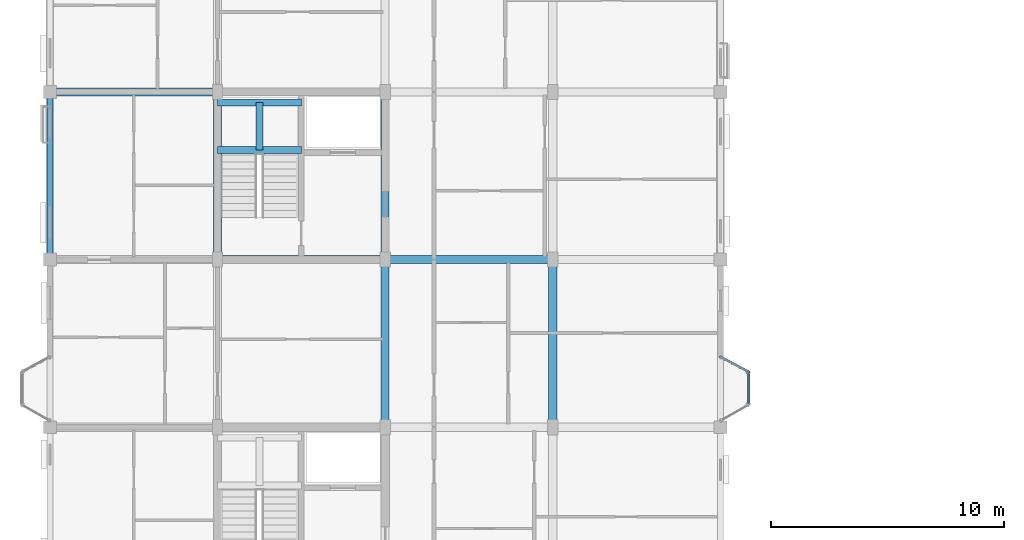
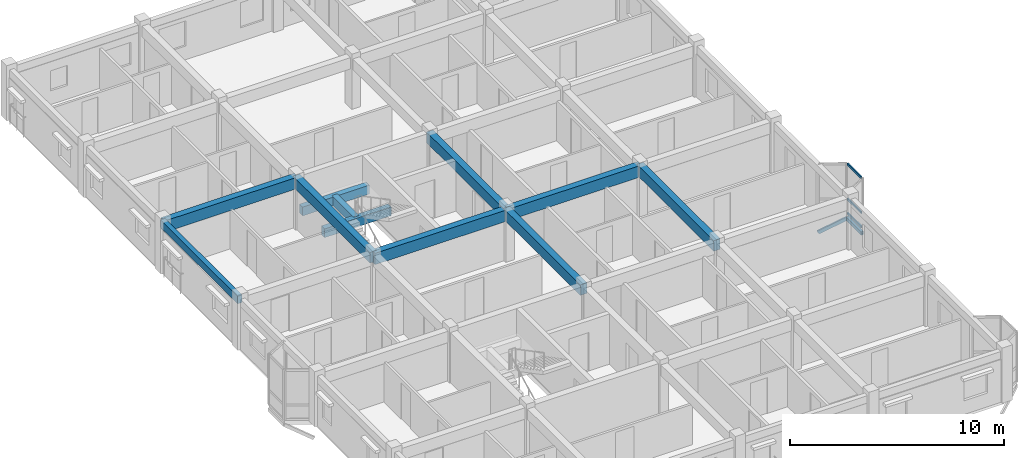
# One storey, part 10 of 79: 11 beams, 5 members, 1 element without a shape of its own.
"""IFC4 building model written with IfcOpenShell, lengths in metres."""

from ifc_helpers import new_model, si_unit, direction, frame, origin, origin_2d, place, context, subcontext, project, spatial, rectangle, hollow_rectangle, extrude, material, layer, layer_set, material_profile, profile_set, type_object, element, aggregate, save


model = new_model("IFC4")

# Units and contexts
model_context = context("Model", 3, precision=1e-05, world=origin(), true_north=direction((0.0, 1.0)))
body_context = subcontext(model_context, "Body", "Model", "MODEL_VIEW")
ifc_project = project(units=[si_unit("LENGTHUNIT", "METRE"), si_unit("AREAUNIT", "SQUARE_METRE"), si_unit("VOLUMEUNIT", "CUBIC_METRE"), si_unit("PLANEANGLEUNIT", "RADIAN"), si_unit("MASSUNIT", "GRAM", prefix="KILO"), si_unit("THERMODYNAMICTEMPERATUREUNIT", "KELVIN"), si_unit("POWERUNIT", "WATT")], contexts=[model_context])

# Site, building, storey
site_placement = place(None, origin())
site = spatial("IfcSite", under=ifc_project, at=site_placement, CompositionType="ELEMENT")
building_placement = place(site_placement, origin())
building = spatial("IfcBuilding", under=site, at=building_placement, Name="Tavuni Mirador Residences", CompositionType="ELEMENT")
storey_placement = place(building_placement, frame((0.0, 0.0, 13.949951171875)))
storey = spatial("IfcBuildingStorey", under=building, at=storey_placement, Name="L04", CompositionType="ELEMENT", Elevation=13.949951171875)

# Beams
ifc_material_1 = material(Name="Precast concrete C40/50", Category="concrete")
ifc_material_profile_1 = material_profile(ifc_material_1, rectangle(XDim=0.300048828125, YDim=0.5, at=origin_2d()), Name="PC 300x500", Category="concrete")
ifc_profile_set_1 = profile_set([ifc_material_profile_1], Name="Precast concrete C40/50")
beam_type_1 = type_object("IfcBeamType", Name="BT-B500", PredefinedType="BEAM", material=ifc_profile_set_1)
for number, where, z_axis, x_axis, name in (
    (1, (10.800048828125, 33.5, 1.14501953125), (1.0, 0.0, 0.0), (0.0, 1.0, 0.0), "HLB1-C2-L04"),
    (2, (10.800048828125, 35.550048828125, 1.14501953125), (1.0, 0.0, 0.0), (0.0, 1.0, 0.0), "HLB2-C2-L04"),
):
    element("IfcBeam", number, at=place(storey_placement, frame(where, z_axis=z_axis, x_axis=x_axis)), inside=storey, type_object=beam_type_1, Name=name, PredefinedType="BEAM", context=body_context, shape_type="SweptSolid", body=[
        extrude(rectangle(XDim=0.300048828125, YDim=0.5, at=origin_2d()), origin(), (0.0, 0.0, 1.0), 3.599853515625),
    ])
beam_1_placement = place(storey_placement, frame((12.60009765625, 33.5, 1.14501953125), z_axis=(0.0, 1.0, 0.0), x_axis=(-1.0, 0.0, 0.0)))
element("IfcBeam", 3, at=beam_1_placement, inside=storey, type_object=beam_type_1, Name="HLB3-C2-L04", PredefinedType="BEAM", context=body_context, shape_type="SweptSolid", body=[
    extrude(rectangle(XDim=0.300048828125, YDim=0.5, at=origin_2d()), origin(), (0.0, 0.0, 1.0), 2.050048828125),
])
ifc_material_profile_2 = material_profile(ifc_material_1, rectangle(XDim=0.35009765625, YDim=0.60009765625, at=origin_2d()), Name="PC 350x600", Category="concrete")
ifc_profile_set_2 = profile_set([ifc_material_profile_2], Name="Precast concrete C40/50")
beam_type_2 = type_object("IfcBeamType", Name="BT-B600", PredefinedType="BEAM", material=ifc_profile_set_2)
for number, where, z_axis, x_axis, name in (
    (4, (10.800048828125, 28.800048828125, 2.570068359375), (0.0, 1.0, 0.0), (-1.0, 0.0, 0.0), "BMY-BLK-A-L04-01-03"),
    (5, (18.0, 21.60009765625, 2.570068359375), (0.0, 1.0, 0.0), (-1.0, 0.0, 0.0), "BMY-BLK-A-L04-02-02"),
    (6, (18.0, 28.800048828125, 2.570068359375), (0.0, 1.0, 0.0), (-1.0, 0.0, 0.0), "BMY-BLK-A-L04-02-03"),
    (7, (25.199951171875, 21.60009765625, 2.570068359375), (0.0, 1.0, 0.0), (-1.0, 0.0, 0.0), "BMY-BLK-A-L04-03-02"),
):
    element("IfcBeam", number, at=place(storey_placement, frame(where, z_axis=z_axis, x_axis=x_axis)), inside=storey, type_object=beam_type_2, Name=name, PredefinedType="BEAM", context=body_context, shape_type="SweptSolid", body=[
        extrude(rectangle(XDim=0.35009765625, YDim=0.60009765625, at=origin_2d()), origin(), (0.0, 0.0, 1.0), 7.199951171875),
    ])
ifc_material_profile_3 = material_profile(ifc_material_1, rectangle(XDim=0.35009765625, YDim=0.64990234375, at=origin_2d()), Name="PC 350x650", Category="concrete")
ifc_profile_set_3 = profile_set([ifc_material_profile_3], Name="Precast concrete C40/50")
beam_type_3 = type_object("IfcBeamType", Name="BT-B650", PredefinedType="BEAM", material=ifc_profile_set_3)
for number, where, z_axis, x_axis, name in (
    (8, (10.800048828125, 28.800048828125, 2.545166015625), (1.0, 0.0, 0.0), (0.0, 1.0, 0.0), "BMX-BLK-A-L04-01-03"),
    (9, (18.0, 28.800048828125, 2.545166015625), (1.0, 0.0, 0.0), (0.0, 1.0, 0.0), "BMX-BLK-A-L04-02-03"),
    (10, (3.60009765625, 36.0, 2.545166015625), (1.0, 0.0, 0.0), (0.0, 1.0, 0.0), "BMX-BLK-A-L04-00-04"),
):
    element("IfcBeam", number, at=place(storey_placement, frame(where, z_axis=z_axis, x_axis=x_axis)), inside=storey, type_object=beam_type_3, Name=name, PredefinedType="BEAM", context=body_context, shape_type="SweptSolid", body=[
        extrude(rectangle(XDim=0.35009765625, YDim=0.64990234375, at=origin_2d()), origin(), (0.0, 0.0, 1.0), 7.199951171875),
    ])
ifc_material_profile_4 = material_profile(ifc_material_1, rectangle(XDim=0.25, YDim=0.419921875, at=origin_2d()), Name="PC 250x420", Category="concrete")
ifc_profile_set_4 = profile_set([ifc_material_profile_4], Name="Precast concrete C40/50")
beam_type_4 = type_object("IfcBeamType", Name="BT-SP420", PredefinedType="SPANDREL", material=ifc_profile_set_4)
beam_2_placement = place(storey_placement, frame((3.60009765625, 28.800048828125, 2.66015625), z_axis=(0.0, 1.0, 0.0), x_axis=(-1.0, 0.0, 0.0)))
element("IfcBeam", 11, at=beam_2_placement, inside=storey, type_object=beam_type_4, Name="BMY-BLK-A-L04-00-03", PredefinedType="SPANDREL", context=body_context, shape_type="SweptSolid", body=[
    extrude(rectangle(XDim=0.25, YDim=0.419921875, at=origin_2d()), origin(), (0.0, 0.0, 1.0), 7.199951171875),
])

# Curtain wall, members
ifc_material_2 = material(Name="Anodised aluminium", Category="aluminium")
ifc_layer = layer(ifc_material_2, 0.14990234375, Name="Anodised aluminium", Category="aluminium")
ifc_layer_set = layer_set([ifc_layer], Name="Anodised aluminium")
curtain_wall_type = type_object("IfcCurtainWallType", Name="CWT-MIR-B", PredefinedType="NOTDEFINED", material=ifc_layer_set)
curtain_wall_placement = place(storey_placement, origin())
curtain_wall = element("IfcCurtainWall", 12, at=curtain_wall_placement, inside=storey, type_object=curtain_wall_type, Name="CW-MIR-A-E2-L04-MF", PredefinedType="NOTDEFINED")
ifc_material_profile_5 = material_profile(ifc_material_2, hollow_rectangle(XDim=0.06494140625, YDim=0.125, WallThickness=0.00439453125, at=origin_2d()), Name="ALU 65x125x4.5", Category="aluminium")
ifc_profile_set_5 = profile_set([ifc_material_profile_5], Name="Anodised aluminium")
member_type_1 = type_object("IfcMemberType", Name="CWT-125", PredefinedType="USERDEFINED", material=ifc_profile_set_5)
member_1_placement = place(storey_placement, frame((33.60009765625, 22.625, 0.032470703125), z_axis=(0.0, 1.0, 0.0), x_axis=(-1.0, 0.0, 0.0)))
member_1 = element("IfcMember", 13, at=member_1_placement, type_object=member_type_1, Name="CW-02 transom 1.1", ObjectType="TRANSOM", PredefinedType="USERDEFINED", context=body_context, shape_type="SweptSolid", body=[
    extrude(hollow_rectangle(XDim=0.06494140625, YDim=0.125, WallThickness=0.00439453125, at=origin_2d()), origin(), (0.0, 0.0, 1.0), 1.2900390625),
])
member_2_placement = place(storey_placement, frame((33.60009765625, 22.625, 0.85009765625), z_axis=(0.0, 1.0, 0.0), x_axis=(-1.0, 0.0, 0.0)))
member_2 = element("IfcMember", 14, at=member_2_placement, type_object=member_type_1, Name="CW-02 transom 1.2", ObjectType="TRANSOM", PredefinedType="USERDEFINED", context=body_context, shape_type="SweptSolid", body=[
    extrude(hollow_rectangle(XDim=0.06494140625, YDim=0.125, WallThickness=0.00439453125, at=origin_2d()), origin(), (0.0, 0.0, 1.0), 1.2900390625),
])
member_3_placement = place(storey_placement, frame((33.60009765625, 22.625, 2.837646484375), z_axis=(0.0, 1.0, 0.0), x_axis=(-1.0, 0.0, 0.0)))
member_3 = element("IfcMember", 15, at=member_3_placement, type_object=member_type_1, Name="CW-02 transom 1.3", ObjectType="TRANSOM", PredefinedType="USERDEFINED", context=body_context, shape_type="SweptSolid", body=[
    extrude(hollow_rectangle(XDim=0.06494140625, YDim=0.125, WallThickness=0.00439453125, at=origin_2d()), origin(), (0.0, 0.0, 1.0), 1.2900390625),
])
aggregate(curtain_wall, [member_1, member_2, member_3])

# Members
ifc_material_3 = material(Name="Structural steel S355", Category="steel")
ifc_material_profile_6 = material_profile(ifc_material_3, hollow_rectangle(XDim=0.10009765625, YDim=0.179931640625, WallThickness=0.008056640625, at=origin_2d()), Name="RHS 180x100x8.0", Category="steel")
ifc_profile_set_6 = profile_set([ifc_material_profile_6], Name="Structural steel S355")
member_type_2 = type_object("IfcMemberType", Name="MT-BR-RHS180", PredefinedType="BRACE", material=ifc_profile_set_6)
member_4_placement = place(storey_placement, frame((32.39990234375, 24.6201171875, -1.050048828125), z_axis=(0.767847080655, -0.409539268811, 0.492634192918), x_axis=(0.470606866739, 0.882343004153, 0.0)))
element("IfcMember", 16, at=member_4_placement, inside=storey, type_object=member_type_2, Name="MBRK-MIR-A-E2-L04-2", PredefinedType="BRACE", context=body_context, shape_type="SweptSolid", body=[
    extrude(hollow_rectangle(XDim=0.10009765625, YDim=0.179931640625, WallThickness=0.008056640625, at=origin_2d()), origin(), (0.0, 0.0, 1.0), 1.56298828125),
])
ifc_material_profile_7 = material_profile(ifc_material_3, hollow_rectangle(XDim=0.1201171875, YDim=0.199951171875, WallThickness=0.010009765625, at=origin_2d()), Name="RHS 200x120x10.0", Category="steel")
ifc_profile_set_7 = profile_set([ifc_material_profile_7], Name="Structural steel S355")
member_type_3 = type_object("IfcMemberType", Name="MT-ST-RHS200", PredefinedType="STRUT", material=ifc_profile_set_7)
member_5_placement = place(storey_placement, frame((33.60009765625, 22.56005859375, -0.280029296875), z_axis=(0.0, 1.0, 0.0), x_axis=(-1.0, 0.0, 0.0)))
element("IfcMember", 17, at=member_5_placement, inside=storey, type_object=member_type_3, Name="MRIM-MIR-A-E2-L04", PredefinedType="STRUT", context=body_context, shape_type="SweptSolid", body=[
    extrude(hollow_rectangle(XDim=0.1201171875, YDim=0.199951171875, WallThickness=0.010009765625, at=origin_2d()), origin(), (0.0, 0.0, 1.0), 1.419921875),
])

save(model, "model.ifc")
